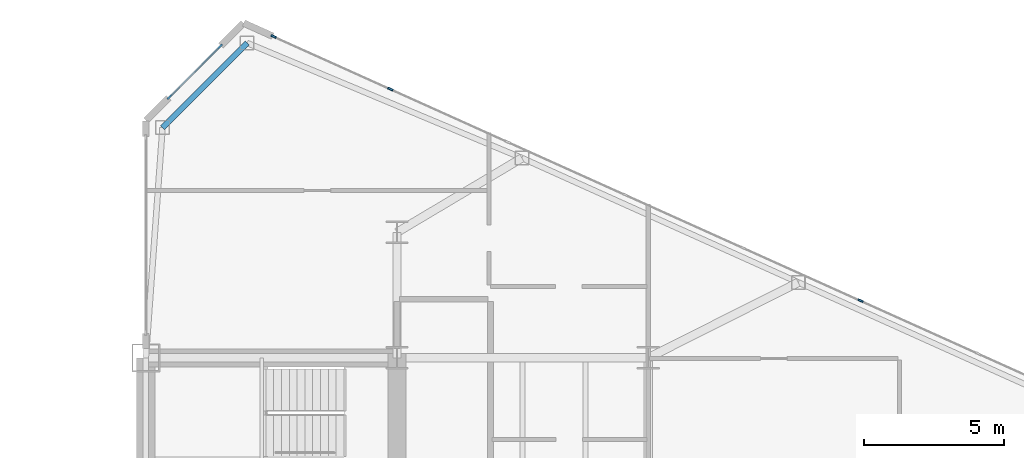
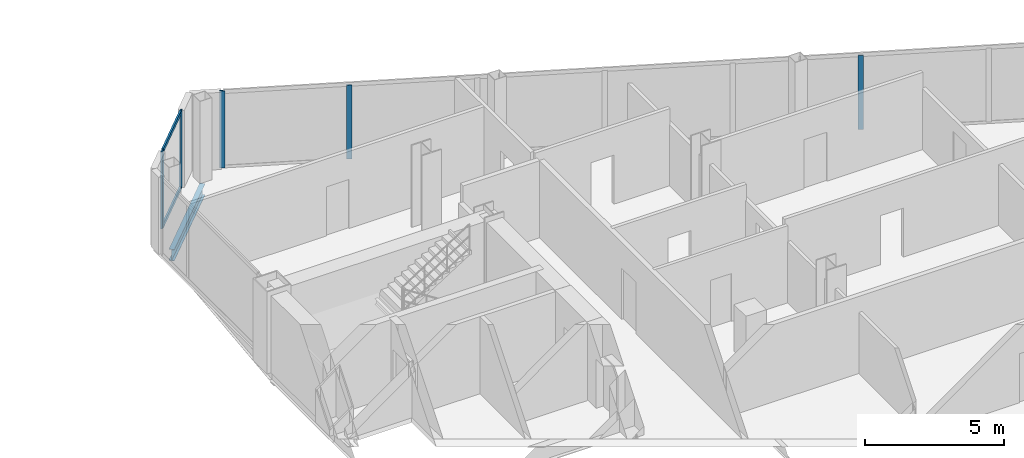
# One storey, part 15 of 27: 7 members, 1 beam, 2 elements without a shape of their own.
"""IFC4 building model written with IfcOpenShell, lengths in metres."""

from ifc_helpers import new_model, si_unit, direction, frame, origin, origin_2d, place, context, subcontext, project, spatial, rectangle, i_section, extrude, source, transform, mapped, material, layer, layer_set, material_profile, profile_set, type_object, type_shapes, element, aggregate, save


model = new_model("IFC4")

# Units and contexts
model_context = context("Model", 3, precision=1e-05, world=origin(), true_north=direction((0.0, 1.0)))
body_context = subcontext(model_context, "Body", "Model", "MODEL_VIEW")
ifc_project = project(units=[si_unit("LENGTHUNIT", "METRE"), si_unit("AREAUNIT", "SQUARE_METRE"), si_unit("VOLUMEUNIT", "CUBIC_METRE"), si_unit("PLANEANGLEUNIT", "RADIAN"), si_unit("MASSUNIT", "GRAM", prefix="KILO")], contexts=[model_context])

# Site, building, storey
site_placement = place(None, origin())
site = spatial("IfcSite", under=ifc_project, at=site_placement, CompositionType="ELEMENT")
building_placement = place(site_placement, origin())
building = spatial("IfcBuilding", under=site, at=building_placement, Name="Seokmaru Belvedere", CompositionType="ELEMENT")
storey_placement = place(building_placement, frame((0.0, 0.0, 103.199951171875)))
storey = spatial("IfcBuildingStorey", under=building, at=storey_placement, Name="L27", CompositionType="ELEMENT", Elevation=103.199951171875)

# Beam
ifc_material_1 = material(Name="Steel SM355 (355 MPa)", Category="steel")
ifc_material_profile_1 = material_profile(ifc_material_1, i_section(OverallWidth=0.199951171875, OverallDepth=0.5, WebThickness=0.010009765625, FlangeThickness=0.01611328125, at=origin_2d()), Name="H-500x200x10x16")
ifc_profile_set_1 = profile_set([ifc_material_profile_1], Name="Steel SM355 (355 MPa)")
beam_type = type_object("IfcBeamType", Name="Perimeter Spandrel Beam H-500", PredefinedType="SPANDREL", material=ifc_profile_set_1)
shared_shape_1 = source(origin(), body_context, "Body", "SweptSolid", [
    extrude(i_section(OverallWidth=0.199951171875, OverallDepth=0.5, WebThickness=0.010009765625, FlangeThickness=0.01611328125, at=origin_2d()), origin(), (0.0, 0.0, 1.0), 4.287109375),
])
type_shapes(beam_type, [shared_shape_1])
beam_placement = place(storey_placement, frame((31.13134765625, 24.782958984375, -0.469970703125), z_axis=(-0.707078306132, -0.707135255094, 0.0), x_axis=(0.707135255094, -0.707078306132, 0.0)))
element("IfcBeam", 1, at=beam_placement, inside=storey, type_object=beam_type, Name="L27 E Shoulder Chamfer Spandrel N", PredefinedType="SPANDREL", context=body_context, shape_type="MappedRepresentation", body=[
    mapped(shared_shape_1, transform((0.0, 0.0, 0.0), scale=1.0)),
])

# Curtain wall, members
ifc_material_2 = material(Name="Bronze Triple Insulating Glass", Category="glass")
ifc_layer = layer(ifc_material_2, 0.195068359375)
ifc_layer_set = layer_set([ifc_layer], Name="Bronze Triple Insulating Glass")
curtain_wall_type = type_object("IfcCurtainWallType", Name="Lower-Mid Tapered Curtain Wall System CW-3", PredefinedType="NOTDEFINED", material=ifc_layer_set)
curtain_wall_1_placement = place(storey_placement, origin())
curtain_wall_1 = element("IfcCurtainWall", 2, at=curtain_wall_1_placement, inside=storey, type_object=curtain_wall_type, Name="L27 Curtain Wall EF4", PredefinedType="NOTDEFINED")
ifc_material_3 = material(Name="Anodised Bronze Aluminium", Category="aluminium")
ifc_material_profile_2 = material_profile(ifc_material_3, rectangle(XDim=0.070068359375, YDim=0.1650390625, at=origin_2d()), Name="CW-T-70x165")
ifc_profile_set_2 = profile_set([ifc_material_profile_2], Name="Anodised Bronze Aluminium")
member_type_1 = type_object("IfcMemberType", Name="Bronze Unitised Transom 70x165", PredefinedType="USERDEFINED", material=ifc_profile_set_2)
shared_shape_2 = source(origin(), body_context, "Body", "SweptSolid", [
    extrude(rectangle(XDim=0.070068359375, YDim=0.1650390625, at=origin_2d()), origin(), (0.0, 0.0, 1.0), 2.509521484375),
])
type_shapes(member_type_1, [shared_shape_2])
member_1_placement = place(storey_placement, frame((30.13720703125, 24.63720703125, 0.03515625), z_axis=(-0.707106781187, -0.707106781187, 0.0), x_axis=(0.707106781187, -0.707106781187, 0.0)))
member_1 = element("IfcMember", 3, at=member_1_placement, type_object=member_type_1, Name="CW:L27:EF4 Continuous Transom 1", ObjectType="TRANSOM", PredefinedType="USERDEFINED", context=body_context, shape_type="MappedRepresentation", body=[
    mapped(shared_shape_2, transform((0.0, 0.0, 0.0), scale=1.0)),
])
member_2_placement = place(storey_placement, frame((30.13720703125, 24.63720703125, 3.344970703125), z_axis=(-0.707106781187, -0.707106781187, 0.0), x_axis=(0.707106781187, -0.707106781187, 0.0)))
member_2 = element("IfcMember", 4, at=member_2_placement, type_object=member_type_1, Name="CW:L27:EF4 Continuous Transom 2", ObjectType="TRANSOM", PredefinedType="USERDEFINED", context=body_context, shape_type="MappedRepresentation", body=[
    mapped(shared_shape_2, transform((0.0, 0.0, 0.0), scale=1.0)),
])

curtain_wall_2_placement = place(storey_placement, origin())
curtain_wall_2 = element("IfcCurtainWall", 5, at=curtain_wall_2_placement, inside=storey, type_object=curtain_wall_type, Name="L27 Curtain Wall EF3", PredefinedType="NOTDEFINED")
ifc_material_profile_3 = material_profile(ifc_material_3, rectangle(XDim=0.070068359375, YDim=0.195068359375, at=origin_2d()), Name="CW-M-70x195")
ifc_profile_set_3 = profile_set([ifc_material_profile_3], Name="Anodised Bronze Aluminium")
member_type_2 = type_object("IfcMemberType", Name="Bronze Unitised Mullion 70x195", PredefinedType="MULLION", material=ifc_profile_set_3)
shared_shape_3 = source(origin(), body_context, "Body", "SweptSolid", [
    extrude(rectangle(XDim=0.070068359375, YDim=0.195068359375, at=origin_2d()), origin(), (0.0, 0.0, 1.0), 3.239990234375),
])
member_3_placement = place(storey_placement, frame((53.105712890625, 15.552490234375, 0.070068359375), z_axis=(0.0, 0.0, 1.0), x_axis=(-0.41036554765, -0.91192111353, 0.0)))
member_3 = element("IfcMember", 6, at=member_3_placement, type_object=member_type_2, Name="CW:L27:EF3 Mullion 5", PredefinedType="MULLION", context=body_context, shape_type="MappedRepresentation", body=[
    mapped(shared_shape_3, transform((0.0, 0.0, 0.0), scale=1.0)),
])
member_4_placement = place(storey_placement, frame((36.260009765625, 23.133056640625, 0.070068359375), z_axis=(0.0, 0.0, 1.0), x_axis=(-0.41036554765, -0.91192111353, 0.0)))
member_4 = element("IfcMember", 7, at=member_4_placement, type_object=member_type_2, Name="CW:L27:EF3 Mullion 9", PredefinedType="MULLION", context=body_context, shape_type="MappedRepresentation", body=[
    mapped(shared_shape_3, transform((0.0, 0.0, 0.0), scale=1.0)),
])
shared_shape_4 = source(origin(), body_context, "Body", "SweptSolid", [
    extrude(rectangle(XDim=0.070068359375, YDim=0.195068359375, at=origin_2d()), origin(), (0.0, 0.0, 1.0), 3.380126953125),
])
type_shapes(member_type_2, [shared_shape_3, shared_shape_4])
member_5_placement = place(storey_placement, frame((32.08056640625, 25.013671875, 0.0), z_axis=(0.0, 0.0, 1.0), x_axis=(-0.41036554765, -0.91192111353, 0.0)))
member_5 = element("IfcMember", 8, at=member_5_placement, type_object=member_type_2, Name="CW:L27:EF3 Mullion 10", PredefinedType="MULLION", context=body_context, shape_type="MappedRepresentation", body=[
    mapped(shared_shape_4, transform((0.0, 0.0, 0.0), scale=1.0)),
])
aggregate(curtain_wall_2, [member_3, member_4, member_5])

# Member
member_6_placement = place(storey_placement, frame((30.162109375, 24.662109375, 0.0), z_axis=(0.0, 0.0, 1.0), x_axis=(0.707106781187, -0.707106781187, 0.0)))
member_6 = element("IfcMember", 9, at=member_6_placement, type_object=member_type_2, Name="CW:L27:EF4 Mullion 1", PredefinedType="MULLION", context=body_context, shape_type="MappedRepresentation", body=[
    mapped(shared_shape_4, transform((0.0, 0.0, 0.0), scale=1.0)),
])

member_7_placement = place(storey_placement, frame((28.337890625, 22.837890625, 0.0), z_axis=(0.0, 0.0, 1.0), x_axis=(0.707106781187, -0.707106781187, 0.0)))
member_7 = element("IfcMember", 10, at=member_7_placement, type_object=member_type_2, Name="CW:L27:EF4 Mullion 2", PredefinedType="MULLION", context=body_context, shape_type="MappedRepresentation", body=[
    mapped(shared_shape_4, transform((0.0, 0.0, 0.0), scale=1.0)),
])

aggregate(curtain_wall_1, [member_6, member_7, member_1, member_2])

save(model, "model.ifc")
